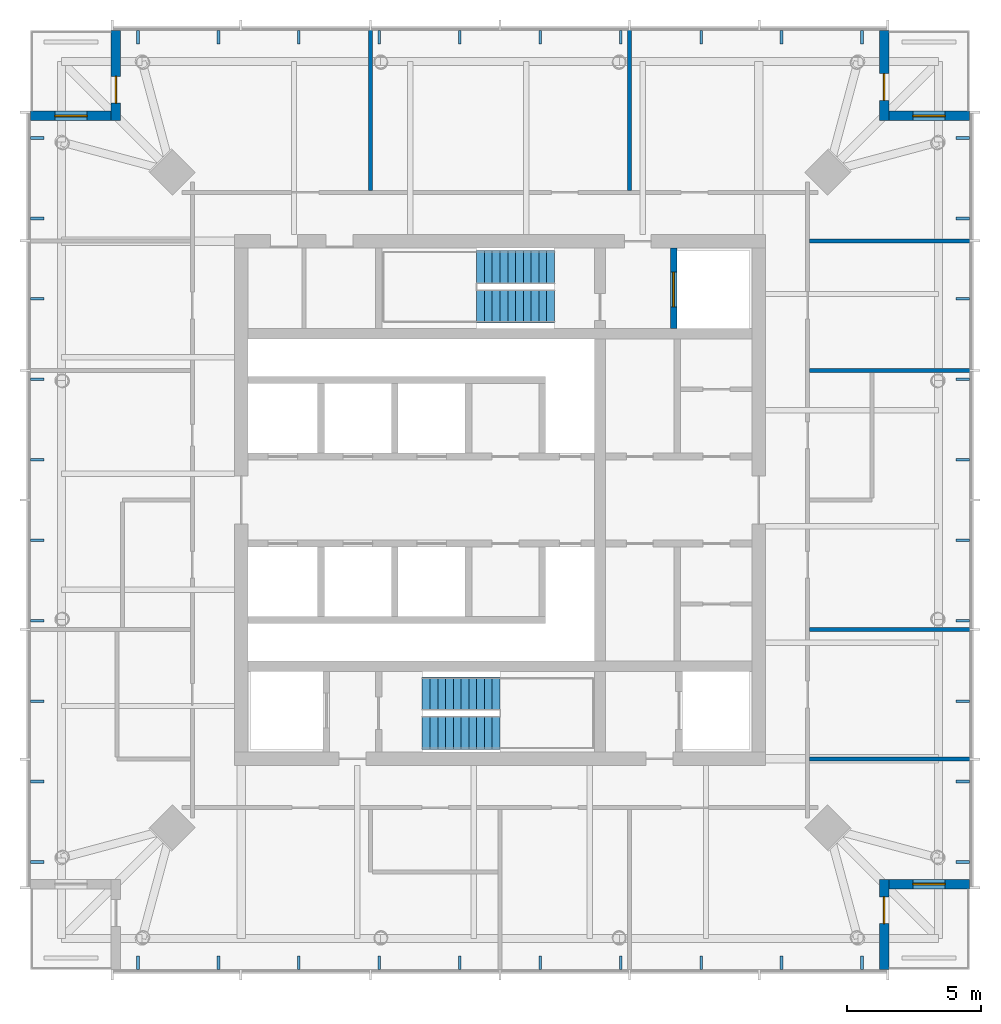
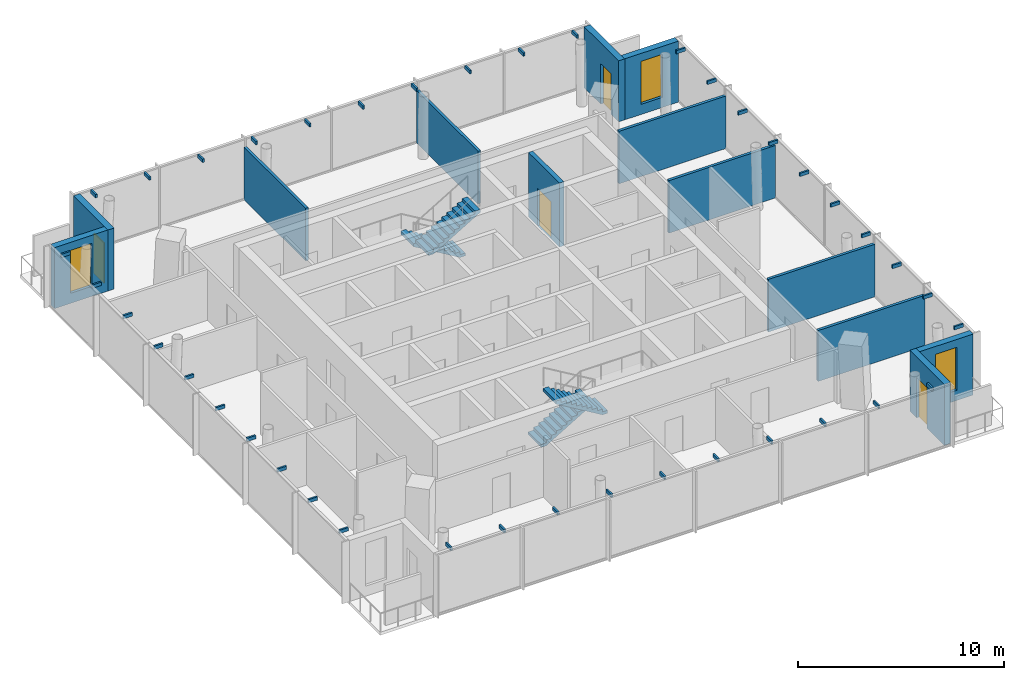
# One storey, part 6 of 7: 40 discrete accessories, 13 walls, 4 doors, 4 stair flights, 3 windows, 7 openings, 2 elements without a shape of their own.
"""IFC4 building model written with IfcOpenShell, lengths in metres."""

from ifc_helpers import new_model, si_unit, direction, frame, frame_2d, origin, origin_2d, place, context, subcontext, project, spatial, polyline, rectangle, outline, extrude, material, layer, layer_set, type_object, element, fill, aggregate, save


model = new_model("IFC4")

# Units and contexts
model_context = context("Model", 3, precision=1e-05, world=origin(), true_north=direction((0.0, 1.0)))
body_context = subcontext(model_context, "Body", "Model", "MODEL_VIEW")
ifc_project = project(units=[si_unit("LENGTHUNIT", "METRE"), si_unit("AREAUNIT", "SQUARE_METRE"), si_unit("VOLUMEUNIT", "CUBIC_METRE"), si_unit("PLANEANGLEUNIT", "RADIAN"), si_unit("MASSUNIT", "GRAM", prefix="KILO")], contexts=[model_context])

# Site, building, storey
site_placement = place(None, origin())
site = spatial("IfcSite", under=ifc_project, at=site_placement, CompositionType="ELEMENT")
building_placement = place(site_placement, origin())
building = spatial("IfcBuilding", under=site, at=building_placement, Name="Ostroluk Exchange", CompositionType="ELEMENT")
storey_placement = place(building_placement, frame((0.0, 0.0, 260.39990234375)))
storey = spatial("IfcBuildingStorey", under=building, at=storey_placement, Name="L67", CompositionType="ELEMENT", Elevation=260.39990234375)

# Wall, opening, door
ifc_material_1 = material(Name="Concrete C40/50", Category="concrete")
ifc_layer_1 = layer(ifc_material_1, 0.25)
ifc_layer_set_1 = layer_set([ifc_layer_1], Name="Core shaft wall 250")
wall_type_1 = type_object("IfcWallType", Name="Core shaft wall 250", PredefinedType="SHEAR", material=ifc_layer_set_1)
wall_1_placement = place(storey_placement, frame((51.47509765625, 52.39990234375, 0.0), z_axis=(0.0, 0.0, 1.0), x_axis=(0.0, 1.0, 0.0)))
wall_1 = element("IfcWall", 1, at=wall_1_placement, inside=storey, type_object=wall_type_1, Name="Firefighting lift shaft wall", PredefinedType="SHEAR", context=body_context, shape_type="SweptSolid", body=[
    extrude(rectangle(XDim=3.0, YDim=0.25, at=frame_2d((1.5, 0.0))), origin(), (0.0, 0.0, 1.0), 3.800048828125),
])
opening_1_placement = place(wall_1_placement, frame((0.800048828125, 0.0, 0.0)))
opening_1 = element("IfcOpeningElement", 2, at=opening_1_placement, cuts=wall_1, Name="Opening LD2", PredefinedType="OPENING", context=body_context, shape_type="SweptSolid", body=[
    extrude(rectangle(XDim=1.300048828125, YDim=2.199951171875, at=frame_2d((0.64990234375, 1.10009765625))), frame((0.0, 0.135009765625, 0.0), z_axis=(0.0, -1.0, 0.0), x_axis=(1.0, 0.0, 0.0)), (0.0, 0.0, 1.0), 0.27001953125),
])
ifc_material_2 = material(Name="Stainless steel", Category="steel")
door_type_1 = type_object("IfcDoorType", Name="Lift landing door E 60 1300 x 2200", OperationType="DOUBLE_DOOR_SLIDING", PredefinedType="DOOR", material=ifc_material_2)
door_1_placement = place(opening_1_placement, origin())
door_1 = element("IfcDoor", 3, at=door_1_placement, inside=storey, type_object=door_type_1, Name="Lift FL2 landing door", OperationType="DOUBLE_DOOR_SLIDING", OverallHeight=2.199951171875, OverallWidth=1.300048828125, PredefinedType="DOOR", context=body_context, shape_type="SweptSolid", body=[
    extrude(rectangle(XDim=1.300048828125, YDim=2.199951171875, at=frame_2d((0.64990234375, 1.10009765625))), frame((0.0, 0.02490234375, 0.0), z_axis=(0.0, -1.0, 0.0), x_axis=(1.0, 0.0, 0.0)), (0.0, 0.0, 1.0), 0.050048828125),
])
fill(opening_1, door_1)

ifc_material_3 = material(Name="Limestone", Category="masonry")
ifc_layer_2 = layer(ifc_material_3, 0.35009765625)
ifc_layer_set_2 = layer_set([ifc_layer_2], Name="Limestone facade wall 350")
wall_type_2 = type_object("IfcWallType", Name="Limestone facade wall 350", PredefinedType="SOLIDWALL", material=ifc_layer_set_2)
wall_2_placement = place(storey_placement, frame((59.324951171875, 28.5, 0.0), z_axis=(0.0, 0.0, 1.0), x_axis=(0.0, 1.0, 0.0)))
wall_2 = element("IfcWall", 4, at=wall_2_placement, inside=storey, type_object=wall_type_2, Name="Office tower SE corner wall L67 a", PredefinedType="SOLIDWALL", context=body_context, shape_type="SweptSolid", body=[
    extrude(rectangle(XDim=3.35009765625, YDim=0.35009765625, at=frame_2d((1.675048828125, 0.0))), origin(), (0.0, 0.0, 1.0), 3.6201171875),
])
opening_2_placement = place(wall_2_placement, frame((1.699951171875, 0.0, 0.0)))
opening_2 = element("IfcOpeningElement", 5, at=opening_2_placement, cuts=wall_2, Name="Opening D-B1", PredefinedType="OPENING", context=body_context, shape_type="SweptSolid", body=[
    extrude(rectangle(XDim=1.0, YDim=2.39990234375, at=frame_2d((0.5, 1.199951171875))), frame((0.0, 0.18505859375, 0.0), z_axis=(0.0, -1.0, 0.0), x_axis=(1.0, 0.0, 0.0)), (0.0, 0.0, 1.0), 0.3701171875),
])
ifc_material_4 = material(Name="Bronze framed glazed door", Category="aluminium")
door_type_2 = type_object("IfcDoorType", Name="Balcony door 1000 x 2400", OperationType="SINGLE_SWING_LEFT", PredefinedType="DOOR", material=ifc_material_4)
door_2_placement = place(opening_2_placement, origin())
door_2 = element("IfcDoor", 6, at=door_2_placement, inside=storey, type_object=door_type_2, Name="Office tower SE balcony door L67", OperationType="SINGLE_SWING_RIGHT", OverallHeight=2.39990234375, OverallWidth=1.0, PredefinedType="DOOR", context=body_context, shape_type="SweptSolid", body=[
    extrude(rectangle(XDim=1.0, YDim=2.39990234375, at=frame_2d((0.5, 1.199951171875))), frame((0.0, 0.02490234375, 0.0), z_axis=(0.0, -1.0, 0.0), x_axis=(1.0, 0.0, 0.0)), (0.0, 0.0, 1.0), 0.050048828125),
])
fill(opening_2, door_2)

# Wall, opening, window
wall_3_placement = place(storey_placement, frame((59.5, 31.675048828125, 0.0), z_axis=(0.0, 0.0, 1.0), x_axis=(1.0, 0.0, 0.0)))
wall_3 = element("IfcWall", 7, at=wall_3_placement, inside=storey, type_object=wall_type_2, Name="Office tower SE corner wall L67 b", PredefinedType="SOLIDWALL", context=body_context, shape_type="SweptSolid", body=[
    extrude(rectangle(XDim=3.0, YDim=0.35009765625, at=frame_2d((1.5, 0.0))), origin(), (0.0, 0.0, 1.0), 3.6201171875),
])
opening_3_placement = place(wall_3_placement, frame((0.89990234375, 0.0, 0.60009765625)))
opening_3 = element("IfcOpeningElement", 8, at=opening_3_placement, cuts=wall_3, Name="Opening WN-L1", PredefinedType="OPENING", context=body_context, shape_type="SweptSolid", body=[
    extrude(rectangle(XDim=1.199951171875, YDim=2.550048828125, at=frame_2d((0.60009765625, 1.27490234375))), frame((0.0, 0.18505859375, 0.0), z_axis=(0.0, -1.0, 0.0), x_axis=(1.0, 0.0, 0.0)), (0.0, 0.0, 1.0), 0.3701171875),
])
ifc_material_5 = material(Name="Laminated clear glass", Category="glass")
window_type = type_object("IfcWindowType", Name="Lancet window 1200 x 2550", PartitioningType="SINGLE_PANEL", PredefinedType="WINDOW", material=ifc_material_5)
window_1_placement = place(opening_3_placement, origin())
window_1 = element("IfcWindow", 9, at=window_1_placement, inside=storey, type_object=window_type, Name="Office tower SE lancet window L67", OverallHeight=2.550048828125, OverallWidth=1.199951171875, PartitioningType="SINGLE_PANEL", PredefinedType="WINDOW", context=body_context, shape_type="SweptSolid", body=[
    extrude(rectangle(XDim=1.199951171875, YDim=2.550048828125, at=frame_2d((0.60009765625, 1.27490234375))), frame((0.0, 0.030029296875, 0.0), z_axis=(0.0, -1.0, 0.0), x_axis=(1.0, 0.0, 0.0)), (0.0, 0.0, 1.0), 0.06005859375),
])
fill(opening_3, window_1)

# Wall, opening, door
wall_4_placement = place(storey_placement, frame((59.324951171875, 63.5, 0.0), z_axis=(0.0, 0.0, 1.0), x_axis=(0.0, -1.0, 0.0)))
wall_4 = element("IfcWall", 10, at=wall_4_placement, inside=storey, type_object=wall_type_2, Name="Office tower NE corner wall L67 a", PredefinedType="SOLIDWALL", context=body_context, shape_type="SweptSolid", body=[
    extrude(rectangle(XDim=3.35009765625, YDim=0.35009765625, at=frame_2d((1.675048828125, 0.0))), origin(), (0.0, 0.0, 1.0), 3.6201171875),
])
opening_4_placement = place(wall_4_placement, frame((1.60009765625, 0.0, 0.0)))
opening_4 = element("IfcOpeningElement", 11, at=opening_4_placement, cuts=wall_4, Name="Opening D-B1", PredefinedType="OPENING", context=body_context, shape_type="SweptSolid", body=[
    extrude(rectangle(XDim=1.0, YDim=2.39990234375, at=frame_2d((0.5, 1.199951171875))), frame((0.0, 0.18505859375, 0.0), z_axis=(0.0, -1.0, 0.0), x_axis=(1.0, 0.0, 0.0)), (0.0, 0.0, 1.0), 0.3701171875),
])
door_3_placement = place(opening_4_placement, origin())
door_3 = element("IfcDoor", 12, at=door_3_placement, inside=storey, type_object=door_type_2, Name="Office tower NE balcony door L67", OperationType="SINGLE_SWING_RIGHT", OverallHeight=2.39990234375, OverallWidth=1.0, PredefinedType="DOOR", context=body_context, shape_type="SweptSolid", body=[
    extrude(rectangle(XDim=1.0, YDim=2.39990234375, at=frame_2d((0.5, 1.199951171875))), frame((0.0, 0.02490234375, 0.0), z_axis=(0.0, -1.0, 0.0), x_axis=(1.0, 0.0, 0.0)), (0.0, 0.0, 1.0), 0.050048828125),
])
fill(opening_4, door_3)

# Wall, opening, window
wall_5_placement = place(storey_placement, frame((59.5, 60.324951171875, 0.0), z_axis=(0.0, 0.0, 1.0), x_axis=(1.0, 0.0, 0.0)))
wall_5 = element("IfcWall", 13, at=wall_5_placement, inside=storey, type_object=wall_type_2, Name="Office tower NE corner wall L67 b", PredefinedType="SOLIDWALL", context=body_context, shape_type="SweptSolid", body=[
    extrude(rectangle(XDim=3.0, YDim=0.35009765625, at=frame_2d((1.5, 0.0))), origin(), (0.0, 0.0, 1.0), 3.6201171875),
])
opening_5_placement = place(wall_5_placement, frame((0.89990234375, 0.0, 0.60009765625)))
opening_5 = element("IfcOpeningElement", 14, at=opening_5_placement, cuts=wall_5, Name="Opening WN-L1", PredefinedType="OPENING", context=body_context, shape_type="SweptSolid", body=[
    extrude(rectangle(XDim=1.199951171875, YDim=2.550048828125, at=frame_2d((0.60009765625, 1.27490234375))), frame((0.0, 0.18505859375, 0.0), z_axis=(0.0, -1.0, 0.0), x_axis=(1.0, 0.0, 0.0)), (0.0, 0.0, 1.0), 0.3701171875),
])
window_2_placement = place(opening_5_placement, origin())
window_2 = element("IfcWindow", 15, at=window_2_placement, inside=storey, type_object=window_type, Name="Office tower NE lancet window L67", OverallHeight=2.550048828125, OverallWidth=1.199951171875, PartitioningType="SINGLE_PANEL", PredefinedType="WINDOW", context=body_context, shape_type="SweptSolid", body=[
    extrude(rectangle(XDim=1.199951171875, YDim=2.550048828125, at=frame_2d((0.60009765625, 1.27490234375))), frame((0.0, 0.030029296875, 0.0), z_axis=(0.0, -1.0, 0.0), x_axis=(1.0, 0.0, 0.0)), (0.0, 0.0, 1.0), 0.06005859375),
])
fill(opening_5, window_2)

# Wall, opening, door
wall_6_placement = place(storey_placement, frame((30.675048828125, 63.5, 0.0), z_axis=(0.0, 0.0, 1.0), x_axis=(0.0, -1.0, 0.0)))
wall_6 = element("IfcWall", 16, at=wall_6_placement, inside=storey, type_object=wall_type_2, Name="Office tower NW corner wall L67 a", PredefinedType="SOLIDWALL", context=body_context, shape_type="SweptSolid", body=[
    extrude(rectangle(XDim=3.35009765625, YDim=0.35009765625, at=frame_2d((1.675048828125, 0.0))), origin(), (0.0, 0.0, 1.0), 3.6201171875),
])
opening_6_placement = place(wall_6_placement, frame((1.699951171875, 0.0, 0.0)))
opening_6 = element("IfcOpeningElement", 17, at=opening_6_placement, cuts=wall_6, Name="Opening D-B1", PredefinedType="OPENING", context=body_context, shape_type="SweptSolid", body=[
    extrude(rectangle(XDim=1.0, YDim=2.39990234375, at=frame_2d((0.5, 1.199951171875))), frame((0.0, 0.18505859375, 0.0), z_axis=(0.0, -1.0, 0.0), x_axis=(1.0, 0.0, 0.0)), (0.0, 0.0, 1.0), 0.3701171875),
])
door_4_placement = place(opening_6_placement, origin())
door_4 = element("IfcDoor", 18, at=door_4_placement, inside=storey, type_object=door_type_2, Name="Office tower NW balcony door L67", OperationType="SINGLE_SWING_RIGHT", OverallHeight=2.39990234375, OverallWidth=1.0, PredefinedType="DOOR", context=body_context, shape_type="SweptSolid", body=[
    extrude(rectangle(XDim=1.0, YDim=2.39990234375, at=frame_2d((0.5, 1.199951171875))), frame((0.0, 0.02490234375, 0.0), z_axis=(0.0, -1.0, 0.0), x_axis=(1.0, 0.0, 0.0)), (0.0, 0.0, 1.0), 0.050048828125),
])
fill(opening_6, door_4)

# Wall, opening, window
wall_7_placement = place(storey_placement, frame((30.5, 60.324951171875, 0.0), z_axis=(0.0, 0.0, 1.0), x_axis=(-1.0, 0.0, 0.0)))
wall_7 = element("IfcWall", 19, at=wall_7_placement, inside=storey, type_object=wall_type_2, Name="Office tower NW corner wall L67 b", PredefinedType="SOLIDWALL", context=body_context, shape_type="SweptSolid", body=[
    extrude(rectangle(XDim=3.0, YDim=0.35009765625, at=frame_2d((1.5, 0.0))), origin(), (0.0, 0.0, 1.0), 3.6201171875),
])
opening_7_placement = place(wall_7_placement, frame((0.89990234375, 0.0, 0.60009765625)))
opening_7 = element("IfcOpeningElement", 20, at=opening_7_placement, cuts=wall_7, Name="Opening WN-L1", PredefinedType="OPENING", context=body_context, shape_type="SweptSolid", body=[
    extrude(rectangle(XDim=1.199951171875, YDim=2.550048828125, at=frame_2d((0.60009765625, 1.27490234375))), frame((0.0, 0.18505859375, 0.0), z_axis=(0.0, -1.0, 0.0), x_axis=(1.0, 0.0, 0.0)), (0.0, 0.0, 1.0), 0.3701171875),
])
window_3_placement = place(opening_7_placement, origin())
window_3 = element("IfcWindow", 21, at=window_3_placement, inside=storey, type_object=window_type, Name="Office tower NW lancet window L67", OverallHeight=2.550048828125, OverallWidth=1.199951171875, PartitioningType="SINGLE_PANEL", PredefinedType="WINDOW", context=body_context, shape_type="SweptSolid", body=[
    extrude(rectangle(XDim=1.199951171875, YDim=2.550048828125, at=frame_2d((0.60009765625, 1.27490234375))), frame((0.0, 0.030029296875, 0.0), z_axis=(0.0, -1.0, 0.0), x_axis=(1.0, 0.0, 0.0)), (0.0, 0.0, 1.0), 0.06005859375),
])
fill(opening_7, window_3)

# Walls
ifc_material_6 = material(Name="Gypsum plasterboard partition", Category="gypsum")
ifc_layer_3 = layer(ifc_material_6, 0.14990234375)
ifc_layer_set_3 = layer_set([ifc_layer_3], Name="Plasterboard partition 150")
wall_type_3 = type_object("IfcWallType", Name="Plasterboard partition 150", PredefinedType="PARTITIONING", material=ifc_layer_set_3)
wall_8_placement = place(storey_placement, frame((56.550048828125, 36.333251953125, 0.0), z_axis=(0.0, 0.0, 1.0), x_axis=(1.0, 0.0, 0.0)))
element("IfcWall", 22, at=wall_8_placement, inside=storey, type_object=wall_type_3, Name="Partition", PredefinedType="PARTITIONING", context=body_context, shape_type="SweptSolid", body=[
    extrude(rectangle(XDim=5.989990234375, YDim=0.14990234375, at=frame_2d((2.9951171875, 0.0))), origin(), (0.0, 0.0, 1.0), 3.02001953125),
])
for number, where, z_axis, x_axis, name in (
    (23, (56.550048828125, 41.166748046875, 0.0), (0.0, 0.0, 1.0), (1.0, 0.0, 0.0), "Partition"),
    (24, (56.550048828125, 50.833251953125, 0.0), (0.0, 0.0, 1.0), (1.0, 0.0, 0.0), "Partition"),
    (25, (56.550048828125, 55.666748046875, 0.0), (0.0, 0.0, 1.0), (1.0, 0.0, 0.0), "Partition"),
    (26, (49.833251953125, 57.550048828125, 0.0), (0.0, 0.0, 1.0), (0.0, 1.0, 0.0), "Partition"),
    (27, (40.166748046875, 57.550048828125, 0.0), (0.0, 0.0, 1.0), (0.0, 1.0, 0.0), "Partition"),
):
    element("IfcWall", number, at=place(storey_placement, frame(where, z_axis=z_axis, x_axis=x_axis)), inside=storey, type_object=wall_type_3, Name=name, PredefinedType="PARTITIONING", context=body_context, shape_type="SweptSolid", body=[
        extrude(rectangle(XDim=5.989990234375, YDim=0.14990234375, at=frame_2d((2.9951171875, 0.0))), origin(), (0.0, 0.0, 1.0), 3.1201171875),
    ])

# Stair, stair flights
ifc_material_7 = material(Name="Concrete C30/37", Category="concrete")
stair_type = type_object("IfcStairType", Name="Exit stair half turn 3800", PredefinedType="HALF_TURN_STAIR", material=ifc_material_7)
stair_1_placement = place(storey_placement, origin())
stair_1 = element("IfcStair", 28, at=stair_1_placement, inside=storey, type_object=stair_type, Name="Stair T1-S1 L67", PredefinedType="HALF_TURN_STAIR")
ifc_material_8 = material(Name="Concrete C30/37", Category="concrete")
stair_flight_type = type_object("IfcStairFlightType", Name="Stair flight 11 risers 172.7 x 290", PredefinedType="STRAIGHT", material=ifc_material_8)
stair_flight_1_placement = place(storey_placement, frame((42.10009765625, 38.77490234375, 0.0), z_axis=(0.0, 0.0, 1.0), x_axis=(1.0, 0.0, 0.0)))
stair_flight_1 = element("IfcStairFlight", 29, at=stair_flight_1_placement, type_object=stair_flight_type, Name="T1-S1 flight 1", NumberOfRisers=11, NumberOfTreads=10, PredefinedType="STRAIGHT", RiserHeight=0.172727273, TreadLength=0.29, context=body_context, shape_type="SweptSolid", body=[
    extrude(outline(polyline([(0.0, 0.0), (0.0, 0.172607421875), (0.2900390625, 0.172607421875), (0.2900390625, 0.345458984375), (0.580078125, 0.345458984375), (0.580078125, 0.51806640625), (0.8701171875, 0.51806640625), (0.8701171875, 0.69091796875), (1.159912109375, 0.69091796875), (1.159912109375, 0.863525390625), (1.449951171875, 0.863525390625), (1.449951171875, 1.036376953125), (1.739990234375, 1.036376953125), (1.739990234375, 1.208984375), (2.030029296875, 1.208984375), (2.030029296875, 1.3818359375), (2.320068359375, 1.3818359375), (2.320068359375, 1.554443359375), (2.610107421875, 1.554443359375), (2.610107421875, 1.727294921875), (2.89990234375, 1.727294921875), (2.89990234375, 1.89990234375), (2.89990234375, 1.552734375), (0.29296875, 0.0), (0.0, 0.0)])), frame((0.0, 0.625, 0.0), z_axis=(0.0, -1.0, 0.0), x_axis=(1.0, 0.0, 0.0)), (0.0, 0.0, 1.0), 1.25),
])
stair_flight_2_placement = place(storey_placement, frame((45.0, 37.324951171875, 1.900146484375), z_axis=(0.0, 0.0, 1.0), x_axis=(-1.0, 0.0, 0.0)))
stair_flight_2 = element("IfcStairFlight", 30, at=stair_flight_2_placement, type_object=stair_flight_type, Name="T1-S1 flight 2", NumberOfRisers=11, NumberOfTreads=10, PredefinedType="STRAIGHT", RiserHeight=0.172727273, TreadLength=0.29, context=body_context, shape_type="SweptSolid", body=[
    extrude(outline(polyline([(0.0, 0.0), (0.0, 0.172607421875), (0.2900390625, 0.172607421875), (0.2900390625, 0.345458984375), (0.580078125, 0.345458984375), (0.580078125, 0.51806640625), (0.8701171875, 0.51806640625), (0.8701171875, 0.69091796875), (1.159912109375, 0.69091796875), (1.159912109375, 0.863525390625), (1.449951171875, 0.863525390625), (1.449951171875, 1.036376953125), (1.739990234375, 1.036376953125), (1.739990234375, 1.208984375), (2.030029296875, 1.208984375), (2.030029296875, 1.3818359375), (2.320068359375, 1.3818359375), (2.320068359375, 1.554443359375), (2.610107421875, 1.554443359375), (2.610107421875, 1.727294921875), (2.89990234375, 1.727294921875), (2.89990234375, 1.89990234375), (2.89990234375, 1.552734375), (0.29296875, 0.0), (0.0, 0.0)])), frame((0.0, 0.625, 0.0), z_axis=(0.0, -1.0, 0.0), x_axis=(1.0, 0.0, 0.0)), (0.0, 0.0, 1.0), 1.25),
])
aggregate(stair_1, [stair_flight_1, stair_flight_2])

stair_2_placement = place(storey_placement, origin())
stair_2 = element("IfcStair", 31, at=stair_2_placement, inside=storey, type_object=stair_type, Name="Stair T1-S2 L67", PredefinedType="HALF_TURN_STAIR")
stair_flight_3_placement = place(storey_placement, frame((47.030029296875, 54.675048828125, 0.0), z_axis=(0.0, 0.0, 1.0), x_axis=(-1.0, 0.0, 0.0)))
stair_flight_3 = element("IfcStairFlight", 32, at=stair_flight_3_placement, type_object=stair_flight_type, Name="T1-S2 flight 1", NumberOfRisers=11, NumberOfTreads=10, PredefinedType="STRAIGHT", RiserHeight=0.172727273, TreadLength=0.29, context=body_context, shape_type="SweptSolid", body=[
    extrude(outline(polyline([(0.0, 0.0), (0.0, 0.172607421875), (0.2900390625, 0.172607421875), (0.2900390625, 0.345458984375), (0.580078125, 0.345458984375), (0.580078125, 0.51806640625), (0.8701171875, 0.51806640625), (0.8701171875, 0.69091796875), (1.159912109375, 0.69091796875), (1.159912109375, 0.863525390625), (1.449951171875, 0.863525390625), (1.449951171875, 1.036376953125), (1.739990234375, 1.036376953125), (1.739990234375, 1.208984375), (2.030029296875, 1.208984375), (2.030029296875, 1.3818359375), (2.320068359375, 1.3818359375), (2.320068359375, 1.554443359375), (2.610107421875, 1.554443359375), (2.610107421875, 1.727294921875), (2.89990234375, 1.727294921875), (2.89990234375, 1.89990234375), (2.89990234375, 1.552734375), (0.29296875, 0.0), (0.0, 0.0)])), frame((0.0, 0.625, 0.0), z_axis=(0.0, -1.0, 0.0), x_axis=(1.0, 0.0, 0.0)), (0.0, 0.0, 1.0), 1.25),
])
stair_flight_4_placement = place(storey_placement, frame((44.1298828125, 53.22509765625, 1.900146484375), z_axis=(0.0, 0.0, 1.0), x_axis=(1.0, 0.0, 0.0)))
stair_flight_4 = element("IfcStairFlight", 33, at=stair_flight_4_placement, type_object=stair_flight_type, Name="T1-S2 flight 2", NumberOfRisers=11, NumberOfTreads=10, PredefinedType="STRAIGHT", RiserHeight=0.172727273, TreadLength=0.29, context=body_context, shape_type="SweptSolid", body=[
    extrude(outline(polyline([(0.0, 0.0), (0.0, 0.172607421875), (0.2900390625, 0.172607421875), (0.2900390625, 0.345458984375), (0.580078125, 0.345458984375), (0.580078125, 0.51806640625), (0.8701171875, 0.51806640625), (0.8701171875, 0.69091796875), (1.159912109375, 0.69091796875), (1.159912109375, 0.863525390625), (1.449951171875, 0.863525390625), (1.449951171875, 1.036376953125), (1.739990234375, 1.036376953125), (1.739990234375, 1.208984375), (2.030029296875, 1.208984375), (2.030029296875, 1.3818359375), (2.320068359375, 1.3818359375), (2.320068359375, 1.554443359375), (2.610107421875, 1.554443359375), (2.610107421875, 1.727294921875), (2.89990234375, 1.727294921875), (2.89990234375, 1.89990234375), (2.89990234375, 1.552734375), (0.29296875, 0.0), (0.0, 0.0)])), frame((0.0, 0.625, 0.0), z_axis=(0.0, -1.0, 0.0), x_axis=(1.0, 0.0, 0.0)), (0.0, 0.0, 1.0), 1.25),
])
aggregate(stair_2, [stair_flight_3, stair_flight_4])

# Discrete accessories
ifc_material_9 = material(Name="Steel S355", Category="steel")
discrete_accessory_type = type_object("IfcDiscreteAccessoryType", Name="Maintenance roof bracket", PredefinedType="BRACKET", material=ifc_material_9)
for number, where, z_axis, x_axis, name in (
    (34, (31.5, 28.75, 3.4501953125), (0.0, 0.0, 1.0), (1.0, 0.0, 0.0), "Maintenance roof bracket L68 south 1"),
    (35, (34.5, 28.75, 3.4501953125), (0.0, 0.0, 1.0), (1.0, 0.0, 0.0), "Maintenance roof bracket L68 south 2"),
    (36, (37.5, 28.75, 3.4501953125), (0.0, 0.0, 1.0), (1.0, 0.0, 0.0), "Maintenance roof bracket L68 south 3"),
    (37, (40.5, 28.75, 3.4501953125), (0.0, 0.0, 1.0), (1.0, 0.0, 0.0), "Maintenance roof bracket L68 south 4"),
    (38, (43.5, 28.75, 3.4501953125), (0.0, 0.0, 1.0), (1.0, 0.0, 0.0), "Maintenance roof bracket L68 south 5"),
    (39, (46.5, 28.75, 3.4501953125), (0.0, 0.0, 1.0), (1.0, 0.0, 0.0), "Maintenance roof bracket L68 south 6"),
    (40, (49.5, 28.75, 3.4501953125), (0.0, 0.0, 1.0), (1.0, 0.0, 0.0), "Maintenance roof bracket L68 south 7"),
    (41, (52.5, 28.75, 3.4501953125), (0.0, 0.0, 1.0), (1.0, 0.0, 0.0), "Maintenance roof bracket L68 south 8"),
    (42, (55.5, 28.75, 3.4501953125), (0.0, 0.0, 1.0), (1.0, 0.0, 0.0), "Maintenance roof bracket L68 south 9"),
    (43, (58.5, 28.75, 3.4501953125), (0.0, 0.0, 1.0), (1.0, 0.0, 0.0), "Maintenance roof bracket L68 south 10"),
):
    element("IfcDiscreteAccessory", number, at=place(storey_placement, frame(where, z_axis=z_axis, x_axis=x_axis)), inside=storey, type_object=discrete_accessory_type, Name=name, PredefinedType="BRACKET", context=body_context, shape_type="SweptSolid", body=[
        extrude(rectangle(XDim=0.10009765625, YDim=0.5, at=origin_2d()), origin(), (0.0, 0.0, 1.0), 0.199951171875),
    ])
for number, where, z_axis, x_axis, name in (
    (44, (62.25, 32.5, 3.4501953125), (0.0, 0.0, 1.0), (1.0, 0.0, 0.0), "Maintenance roof bracket L68 east 1"),
    (45, (62.25, 35.5, 3.4501953125), (0.0, 0.0, 1.0), (1.0, 0.0, 0.0), "Maintenance roof bracket L68 east 2"),
    (46, (62.25, 38.5, 3.4501953125), (0.0, 0.0, 1.0), (1.0, 0.0, 0.0), "Maintenance roof bracket L68 east 3"),
    (47, (62.25, 41.5, 3.4501953125), (0.0, 0.0, 1.0), (1.0, 0.0, 0.0), "Maintenance roof bracket L68 east 4"),
    (48, (62.25, 44.5, 3.4501953125), (0.0, 0.0, 1.0), (1.0, 0.0, 0.0), "Maintenance roof bracket L68 east 5"),
    (49, (62.25, 47.5, 3.4501953125), (0.0, 0.0, 1.0), (1.0, 0.0, 0.0), "Maintenance roof bracket L68 east 6"),
    (50, (62.25, 50.5, 3.4501953125), (0.0, 0.0, 1.0), (1.0, 0.0, 0.0), "Maintenance roof bracket L68 east 7"),
    (51, (62.25, 53.5, 3.4501953125), (0.0, 0.0, 1.0), (1.0, 0.0, 0.0), "Maintenance roof bracket L68 east 8"),
    (52, (62.25, 56.5, 3.4501953125), (0.0, 0.0, 1.0), (1.0, 0.0, 0.0), "Maintenance roof bracket L68 east 9"),
    (53, (62.25, 59.5, 3.4501953125), (0.0, 0.0, 1.0), (1.0, 0.0, 0.0), "Maintenance roof bracket L68 east 10"),
):
    element("IfcDiscreteAccessory", number, at=place(storey_placement, frame(where, z_axis=z_axis, x_axis=x_axis)), inside=storey, type_object=discrete_accessory_type, Name=name, PredefinedType="BRACKET", context=body_context, shape_type="SweptSolid", body=[
        extrude(rectangle(XDim=0.5, YDim=0.10009765625, at=origin_2d()), origin(), (0.0, 0.0, 1.0), 0.199951171875),
    ])
for number, where, z_axis, x_axis, name in (
    (54, (31.5, 63.25, 3.4501953125), (0.0, 0.0, 1.0), (1.0, 0.0, 0.0), "Maintenance roof bracket L68 north 1"),
    (55, (34.5, 63.25, 3.4501953125), (0.0, 0.0, 1.0), (1.0, 0.0, 0.0), "Maintenance roof bracket L68 north 2"),
    (56, (37.5, 63.25, 3.4501953125), (0.0, 0.0, 1.0), (1.0, 0.0, 0.0), "Maintenance roof bracket L68 north 3"),
    (57, (40.5, 63.25, 3.4501953125), (0.0, 0.0, 1.0), (1.0, 0.0, 0.0), "Maintenance roof bracket L68 north 4"),
    (58, (43.5, 63.25, 3.4501953125), (0.0, 0.0, 1.0), (1.0, 0.0, 0.0), "Maintenance roof bracket L68 north 5"),
    (59, (46.5, 63.25, 3.4501953125), (0.0, 0.0, 1.0), (1.0, 0.0, 0.0), "Maintenance roof bracket L68 north 6"),
    (60, (49.5, 63.25, 3.4501953125), (0.0, 0.0, 1.0), (1.0, 0.0, 0.0), "Maintenance roof bracket L68 north 7"),
    (61, (52.5, 63.25, 3.4501953125), (0.0, 0.0, 1.0), (1.0, 0.0, 0.0), "Maintenance roof bracket L68 north 8"),
    (62, (55.5, 63.25, 3.4501953125), (0.0, 0.0, 1.0), (1.0, 0.0, 0.0), "Maintenance roof bracket L68 north 9"),
    (63, (58.5, 63.25, 3.4501953125), (0.0, 0.0, 1.0), (1.0, 0.0, 0.0), "Maintenance roof bracket L68 north 10"),
):
    element("IfcDiscreteAccessory", number, at=place(storey_placement, frame(where, z_axis=z_axis, x_axis=x_axis)), inside=storey, type_object=discrete_accessory_type, Name=name, PredefinedType="BRACKET", context=body_context, shape_type="SweptSolid", body=[
        extrude(rectangle(XDim=0.10009765625, YDim=0.5, at=origin_2d()), origin(), (0.0, 0.0, 1.0), 0.199951171875),
    ])
for number, where, z_axis, x_axis, name in (
    (64, (27.75, 32.5, 3.4501953125), (0.0, 0.0, 1.0), (1.0, 0.0, 0.0), "Maintenance roof bracket L68 west 1"),
    (65, (27.75, 35.5, 3.4501953125), (0.0, 0.0, 1.0), (1.0, 0.0, 0.0), "Maintenance roof bracket L68 west 2"),
    (66, (27.75, 38.5, 3.4501953125), (0.0, 0.0, 1.0), (1.0, 0.0, 0.0), "Maintenance roof bracket L68 west 3"),
    (67, (27.75, 41.5, 3.4501953125), (0.0, 0.0, 1.0), (1.0, 0.0, 0.0), "Maintenance roof bracket L68 west 4"),
    (68, (27.75, 44.5, 3.4501953125), (0.0, 0.0, 1.0), (1.0, 0.0, 0.0), "Maintenance roof bracket L68 west 5"),
    (69, (27.75, 47.5, 3.4501953125), (0.0, 0.0, 1.0), (1.0, 0.0, 0.0), "Maintenance roof bracket L68 west 6"),
    (70, (27.75, 50.5, 3.4501953125), (0.0, 0.0, 1.0), (1.0, 0.0, 0.0), "Maintenance roof bracket L68 west 7"),
    (71, (27.75, 53.5, 3.4501953125), (0.0, 0.0, 1.0), (1.0, 0.0, 0.0), "Maintenance roof bracket L68 west 8"),
    (72, (27.75, 56.5, 3.4501953125), (0.0, 0.0, 1.0), (1.0, 0.0, 0.0), "Maintenance roof bracket L68 west 9"),
    (73, (27.75, 59.5, 3.4501953125), (0.0, 0.0, 1.0), (1.0, 0.0, 0.0), "Maintenance roof bracket L68 west 10"),
):
    element("IfcDiscreteAccessory", number, at=place(storey_placement, frame(where, z_axis=z_axis, x_axis=x_axis)), inside=storey, type_object=discrete_accessory_type, Name=name, PredefinedType="BRACKET", context=body_context, shape_type="SweptSolid", body=[
        extrude(rectangle(XDim=0.5, YDim=0.10009765625, at=origin_2d()), origin(), (0.0, 0.0, 1.0), 0.199951171875),
    ])

save(model, "model.ifc")
